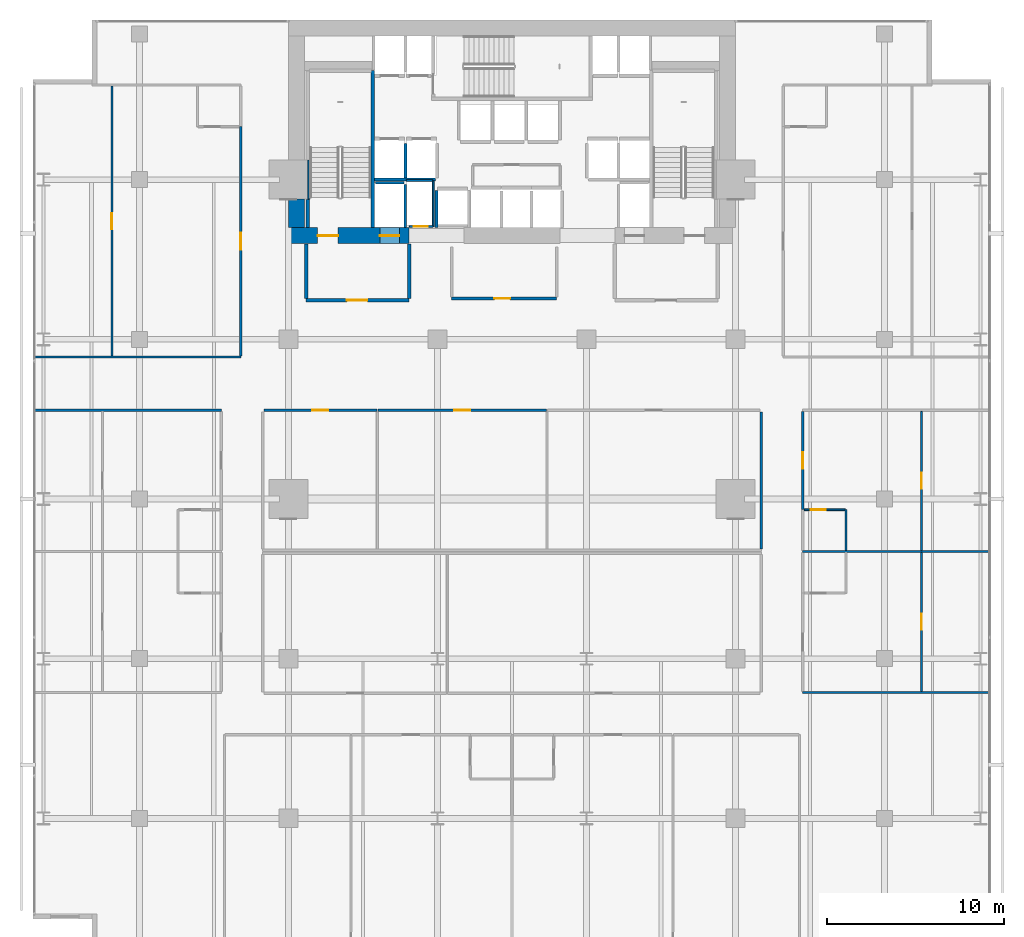
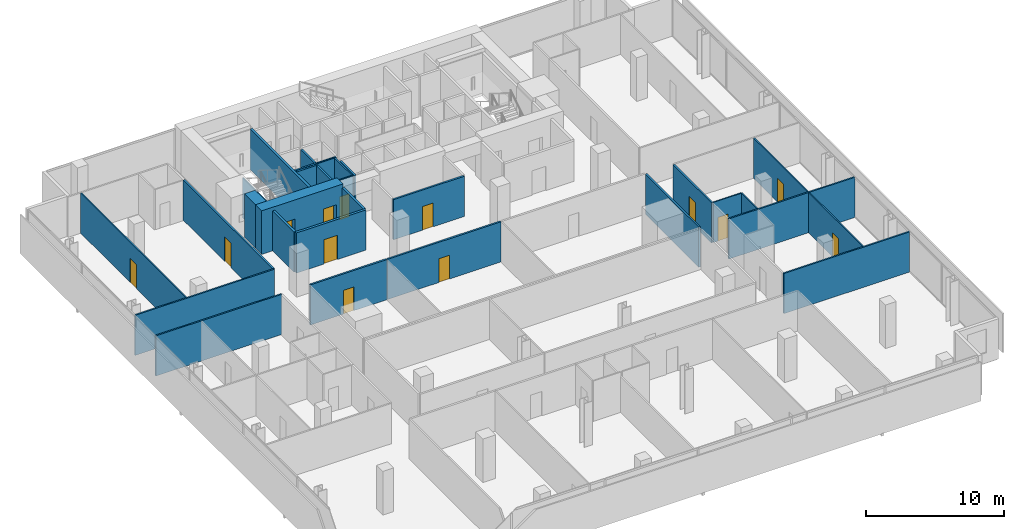
# One storey, part 34 of 39: 31 walls, 13 doors, 13 openings.
"""IFC4 building model written with IfcOpenShell, lengths in metres."""

from ifc_helpers import new_model, si_unit, direction, frame, frame_2d, origin, place, context, subcontext, project, spatial, rectangle, extrude, material, layer, layer_set, type_object, element, fill, save


model = new_model("IFC4")

# Units and contexts
model_context = context("Model", 3, precision=1e-05, world=origin(), true_north=direction((0.0, 1.0)))
body_context = subcontext(model_context, "Body", "Model", "MODEL_VIEW")
ifc_project = project(units=[si_unit("LENGTHUNIT", "METRE"), si_unit("AREAUNIT", "SQUARE_METRE"), si_unit("VOLUMEUNIT", "CUBIC_METRE"), si_unit("PLANEANGLEUNIT", "RADIAN"), si_unit("MASSUNIT", "GRAM", prefix="KILO")], contexts=[model_context])

# Site, building, storey
site_placement = place(None, origin())
site = spatial("IfcSite", under=ifc_project, at=site_placement, CompositionType="ELEMENT")
building_placement = place(site_placement, origin())
building = spatial("IfcBuilding", under=site, at=building_placement, Name="Maruvema Waterfront Hotel and Observation Tower", CompositionType="ELEMENT")
storey_placement = place(building_placement, frame((0.0, 0.0, 111.64990234375)))
storey = spatial("IfcBuildingStorey", under=building, at=storey_placement, Name="L27", CompositionType="ELEMENT", Elevation=111.64990234375)

# Wall, opening, door
ifc_material_1 = material(Name="Twin-stud acoustic gypsum drywall", Category="gypsum")
ifc_layer_1 = layer(ifc_material_1, 0.14990234375, Name="Acoustic Corridor and Suite Demising Wall 150 mm")
ifc_layer_set_1 = layer_set([ifc_layer_1], Name="Twin-stud acoustic gypsum drywall")
wall_type_1 = type_object("IfcWallType", Name="Acoustic Corridor and Suite Demising Wall 150 mm", PredefinedType="PARTITIONING", material=ifc_layer_set_1)
wall_1_placement = place(storey_placement, frame((34.39990234375, 38.300048828125, 0.0), z_axis=(0.0, 0.0, 1.0), x_axis=(1.0, 0.0, 0.0)))
wall_1 = element("IfcWall", 1, at=wall_1_placement, inside=storey, type_object=wall_type_1, Name="L27 Core Apron K0 South 013", PredefinedType="PARTITIONING", context=body_context, shape_type="SweptSolid", body=[
    extrude(rectangle(XDim=5.920166015625, YDim=0.14990234375, at=frame_2d((2.9599609375, 0.0))), origin(), (0.0, 0.0, 1.0), 3.550048828125),
])
opening_1_placement = place(wall_1_placement, frame((2.39990234375, 0.0, 0.0)))
opening_1 = element("IfcOpeningElement", 2, at=opening_1_placement, cuts=wall_1, Name="Opening DR-090", PredefinedType="OPENING", context=body_context, shape_type="SweptSolid", body=[
    extrude(rectangle(XDim=0.89990234375, YDim=2.10009765625, at=frame_2d((0.449951171875, 1.050048828125))), frame((0.0, 0.0849609375, 0.0), z_axis=(0.0, -1.0, 0.0), x_axis=(1.0, 0.0, 0.0)), (0.0, 0.0, 1.0), 0.169921875),
])
ifc_material_2 = material(Name="Solid-core lacquered timber leaf", Category="wood")
door_type_1 = type_object("IfcDoorType", Name="Accessible Toilet and Room Door 900x2100 mm", OperationType="NOTDEFINED", PredefinedType="DOOR", material=ifc_material_2)
door_1_placement = place(opening_1_placement, frame((0.89990234375, 0.0, 0.0), z_axis=(0.0, 0.0, 1.0), x_axis=(-1.0, 0.0, 0.0)))
door_1 = element("IfcDoor", 3, at=door_1_placement, inside=storey, type_object=door_type_1, Name="L27 Core Valet Room Door", OperationType="SINGLE_SWING_RIGHT", OverallHeight=2.10009765625, OverallWidth=0.89990234375, PredefinedType="DOOR", context=body_context, shape_type="SweptSolid", body=[
    extrude(rectangle(XDim=0.89990234375, YDim=2.10009765625, at=frame_2d((0.449951171875, 1.050048828125))), frame((0.0, 0.02490234375, 0.0), z_axis=(0.0, -1.0, 0.0), x_axis=(1.0, 0.0, 0.0)), (0.0, 0.0, 1.0), 0.050048828125),
])
fill(opening_1, door_1)

# Wall
wall_2_placement = place(storey_placement, frame((51.85009765625, 24.18994140625, 0.0), z_axis=(0.0, 0.0, 1.0), x_axis=(0.0, 1.0, 0.0)))
element("IfcWall", 4, at=wall_2_placement, inside=storey, type_object=wall_type_1, Name="L27 L27-INTN East Wall 018", PredefinedType="PARTITIONING", context=body_context, shape_type="SweptSolid", body=[
    extrude(rectangle(XDim=7.72998046875, YDim=0.14990234375, at=frame_2d((3.864990234375, 0.0))), origin(), (0.0, 0.0, 1.0), 3.550048828125),
])

# Wall, opening, door
wall_3_placement = place(storey_placement, frame((23.81005859375, 32.0, 0.0), z_axis=(0.0, 0.0, 1.0), x_axis=(1.0, 0.0, 0.0)))
wall_3 = element("IfcWall", 5, at=wall_3_placement, inside=storey, type_object=wall_type_1, Name="L27 L27-INTN Front 1 019", PredefinedType="PARTITIONING", context=body_context, shape_type="SweptSolid", body=[
    extrude(rectangle(XDim=6.373046875, YDim=0.14990234375, at=frame_2d((3.1865234375, 0.0))), origin(), (0.0, 0.0, 1.0), 3.550048828125),
])
opening_2_placement = place(wall_3_placement, frame((2.736572265625, 0.0, 0.0)))
opening_2 = element("IfcOpeningElement", 6, at=opening_2_placement, cuts=wall_3, Name="Opening DR-090", PredefinedType="OPENING", context=body_context, shape_type="SweptSolid", body=[
    extrude(rectangle(XDim=0.89990234375, YDim=2.10009765625, at=frame_2d((0.449951171875, 1.050048828125))), frame((0.0, 0.0849609375, 0.0), z_axis=(0.0, -1.0, 0.0), x_axis=(1.0, 0.0, 0.0)), (0.0, 0.0, 1.0), 0.169921875),
])
door_2_placement = place(opening_2_placement, origin())
door_2 = element("IfcDoor", 7, at=door_2_placement, inside=storey, type_object=door_type_1, Name="L27 Presidential Dining Salon Door", OperationType="SINGLE_SWING_LEFT", OverallHeight=2.10009765625, OverallWidth=0.89990234375, PredefinedType="DOOR", context=body_context, shape_type="SweptSolid", body=[
    extrude(rectangle(XDim=0.89990234375, YDim=2.10009765625, at=frame_2d((0.449951171875, 1.050048828125))), frame((0.0, 0.02490234375, 0.0), z_axis=(0.0, -1.0, 0.0), x_axis=(1.0, 0.0, 0.0)), (0.0, 0.0, 1.0), 0.050048828125),
])
fill(opening_2, door_2)

wall_4_placement = place(storey_placement, frame((30.242919921875, 32.0, 0.0), z_axis=(0.0, 0.0, 1.0), x_axis=(1.0, 0.0, 0.0)))
wall_4 = element("IfcWall", 8, at=wall_4_placement, inside=storey, type_object=wall_type_1, Name="L27 L27-INTN Front 2 021", PredefinedType="PARTITIONING", context=body_context, shape_type="SweptSolid", body=[
    extrude(rectangle(XDim=9.494140625, YDim=0.14990234375, at=frame_2d((4.7470703125, 0.0))), origin(), (0.0, 0.0, 1.0), 3.550048828125),
])
opening_3_placement = place(wall_4_placement, frame((4.297119140625, 0.0, 0.0)))
opening_3 = element("IfcOpeningElement", 9, at=opening_3_placement, cuts=wall_4, Name="Opening DR-090", PredefinedType="OPENING", context=body_context, shape_type="SweptSolid", body=[
    extrude(rectangle(XDim=0.89990234375, YDim=2.10009765625, at=frame_2d((0.449951171875, 1.050048828125))), frame((0.0, 0.0849609375, 0.0), z_axis=(0.0, -1.0, 0.0), x_axis=(1.0, 0.0, 0.0)), (0.0, 0.0, 1.0), 0.169921875),
])
door_3_placement = place(opening_3_placement, origin())
door_3 = element("IfcDoor", 10, at=door_3_placement, inside=storey, type_object=door_type_1, Name="L27 Presidential Kitchen Door", OperationType="SINGLE_SWING_RIGHT", OverallHeight=2.10009765625, OverallWidth=0.89990234375, PredefinedType="DOOR", context=body_context, shape_type="SweptSolid", body=[
    extrude(rectangle(XDim=0.89990234375, YDim=2.10009765625, at=frame_2d((0.449951171875, 1.050048828125))), frame((0.0, 0.02490234375, 0.0), z_axis=(0.0, -1.0, 0.0), x_axis=(1.0, 0.0, 0.0)), (0.0, 0.0, 1.0), 0.050048828125),
])
fill(opening_3, door_3)

wall_5_placement = place(storey_placement, frame((54.179931640625, 26.39990234375, 0.0), z_axis=(0.0, 0.0, 1.0), x_axis=(0.0, 1.0, 0.0)))
wall_5 = element("IfcWall", 11, at=wall_5_placement, inside=storey, type_object=wall_type_1, Name="L27 Room L27-E2 Corridor Wall 067", PredefinedType="PARTITIONING", context=body_context, shape_type="SweptSolid", body=[
    extrude(rectangle(XDim=5.5400390625, YDim=0.14990234375, at=frame_2d((2.77001953125, 0.0))), origin(), (0.0, 0.0, 1.0), 3.550048828125),
])
opening_4_placement = place(wall_5_placement, frame((2.294921875, 0.0, 0.0)))
opening_4 = element("IfcOpeningElement", 12, at=opening_4_placement, cuts=wall_5, Name="Opening DR-095", PredefinedType="OPENING", context=body_context, shape_type="SweptSolid", body=[
    extrude(rectangle(XDim=0.949951171875, YDim=2.14990234375, at=frame_2d((0.47509765625, 1.074951171875))), frame((0.0, 0.0849609375, 0.0), z_axis=(0.0, -1.0, 0.0), x_axis=(1.0, 0.0, 0.0)), (0.0, 0.0, 1.0), 0.169921875),
])
ifc_material_3 = material(Name="Acoustic solid-core hardwood timber leaf", Category="wood")
door_type_2 = type_object("IfcDoorType", Name="Guestroom Entrance Fire Door 950x2150 mm", OperationType="NOTDEFINED", PredefinedType="DOOR", material=ifc_material_3)
door_4_placement = place(opening_4_placement, frame((0.949951171875, 0.0, 0.0), z_axis=(0.0, 0.0, 1.0), x_axis=(-1.0, 0.0, 0.0)))
door_4 = element("IfcDoor", 13, at=door_4_placement, inside=storey, type_object=door_type_2, Name="L27 Room L27-E2 Entrance Door", OperationType="SINGLE_SWING_RIGHT", OverallHeight=2.14990234375, OverallWidth=0.949951171875, PredefinedType="DOOR", context=body_context, shape_type="SweptSolid", body=[
    extrude(rectangle(XDim=0.949951171875, YDim=2.14990234375, at=frame_2d((0.47509765625, 1.074951171875))), frame((0.0, 0.02490234375, 0.0), z_axis=(0.0, -1.0, 0.0), x_axis=(1.0, 0.0, 0.0)), (0.0, 0.0, 1.0), 0.050048828125),
])
fill(opening_4, door_4)

wall_6_placement = place(storey_placement, frame((22.52001953125, 35.06005859375, 0.0), z_axis=(0.0, 0.0, 1.0), x_axis=(0.0, 1.0, 0.0)))
wall_6 = element("IfcWall", 14, at=wall_6_placement, inside=storey, type_object=wall_type_1, Name="L27 Room L27-NW1 Corridor Wall 075", PredefinedType="PARTITIONING", context=body_context, shape_type="SweptSolid", body=[
    extrude(rectangle(XDim=12.927490234375, YDim=0.14990234375, at=frame_2d((6.4638671875, 0.0))), origin(), (0.0, 0.0, 1.0), 3.550048828125),
])
opening_5_placement = place(wall_6_placement, frame((5.98876953125, 0.0, 0.0)))
opening_5 = element("IfcOpeningElement", 15, at=opening_5_placement, cuts=wall_6, Name="Opening DR-095", PredefinedType="OPENING", context=body_context, shape_type="SweptSolid", body=[
    extrude(rectangle(XDim=0.949951171875, YDim=2.14990234375, at=frame_2d((0.47509765625, 1.074951171875))), frame((0.0, 0.0849609375, 0.0), z_axis=(0.0, -1.0, 0.0), x_axis=(1.0, 0.0, 0.0)), (0.0, 0.0, 1.0), 0.169921875),
])
door_5_placement = place(opening_5_placement, origin())
door_5 = element("IfcDoor", 16, at=door_5_placement, inside=storey, type_object=door_type_2, Name="L27 Room L27-NW1 Entrance Door", OperationType="SINGLE_SWING_LEFT", OverallHeight=2.14990234375, OverallWidth=0.949951171875, PredefinedType="DOOR", context=body_context, shape_type="SweptSolid", body=[
    extrude(rectangle(XDim=0.949951171875, YDim=2.14990234375, at=frame_2d((0.47509765625, 1.074951171875))), frame((0.0, 0.02490234375, 0.0), z_axis=(0.0, -1.0, 0.0), x_axis=(1.0, 0.0, 0.0)), (0.0, 0.0, 1.0), 0.050048828125),
])
fill(opening_5, door_5)

# Walls
ifc_material_4 = material(Name="Precast concrete C45/55", Category="concrete")
ifc_layer_2 = layer(ifc_material_4, 0.199951171875, Name="Core Shaft and Stairwell Enclosure Wall 200 mm")
ifc_layer_set_2 = layer_set([ifc_layer_2], Name="Precast concrete C45/55")
wall_type_2 = type_object("IfcWallType", Name="Core Shaft and Stairwell Enclosure Wall 200 mm", PredefinedType="SOLIDWALL", material=ifc_layer_set_2)
wall_7_placement = place(storey_placement, frame((29.949951171875, 42.300048828125, 0.0), z_axis=(0.0, 0.0, 1.0), x_axis=(0.0, 1.0, 0.0)))
element("IfcWall", 17, at=wall_7_placement, inside=storey, type_object=wall_type_2, Name="L27 Stairwell ST-01 East Shaft Wall", PredefinedType="SOLIDWALL", context=body_context, shape_type="SweptSolid", body=[
    extrude(rectangle(XDim=8.849853515625, YDim=0.199951171875, at=frame_2d((4.4248046875, 0.0))), origin(), (0.0, 0.0, 1.0), 3.550048828125),
])
wall_8_placement = place(storey_placement, frame((26.300048828125, 42.300048828125, 0.0), z_axis=(0.0, 0.0, 1.0), x_axis=(0.0, 1.0, 0.0)))
element("IfcWall", 18, at=wall_8_placement, inside=storey, type_object=wall_type_2, Name="L27 Stairwell ST-01 Shaft Lining Wall", PredefinedType="SOLIDWALL", context=body_context, shape_type="SweptSolid", body=[
    extrude(rectangle(XDim=1.579833984375, YDim=0.199951171875, at=frame_2d((0.7900390625, 0.0))), origin(), (0.0, 0.0, 1.0), 3.550048828125),
])

# Wall, openings, doors
ifc_material_5 = material(Name="Concrete C80/95", Category="concrete")
ifc_layer_3 = layer(ifc_material_5, 0.89990234375, Name="Core Shear Wall 900 mm")
ifc_layer_set_3 = layer_set([ifc_layer_3], Name="Concrete C80/95")
wall_type_3 = type_object("IfcWallType", Name="Core Shear Wall 900 mm", PredefinedType="SHEAR", material=ifc_layer_set_3)
wall_9_placement = place(storey_placement, frame((25.199951171875, 41.85009765625, 0.0), z_axis=(0.0, 0.0, 1.0), x_axis=(1.0, 0.0, 0.0)))
wall_9 = element("IfcWall", 19, at=wall_9_placement, inside=storey, type_object=wall_type_3, Name="L27 South-West Core Shear Wall", PredefinedType="SHEAR", context=body_context, shape_type="SweptSolid", body=[
    extrude(rectangle(XDim=6.800048828125, YDim=0.89990234375, at=frame_2d((3.39990234375, 0.0))), origin(), (0.0, 0.0, 1.0), 3.85009765625),
])
opening_6_placement = place(wall_9_placement, frame((1.64990234375, 0.0, 0.0)))
opening_6 = element("IfcOpeningElement", 20, at=opening_6_placement, cuts=wall_9, Name="Opening SD-01", PredefinedType="OPENING", context=body_context, shape_type="SweptSolid", body=[
    extrude(rectangle(XDim=1.14990234375, YDim=2.14990234375, at=frame_2d((0.574951171875, 1.074951171875))), frame((0.0, 0.4599609375, 0.0), z_axis=(0.0, -1.0, 0.0), x_axis=(1.0, 0.0, 0.0)), (0.0, 0.0, 1.0), 0.919921875),
])
opening_7_placement = place(wall_9_placement, frame((5.14990234375, 0.0, 0.0)))
opening_7 = element("IfcOpeningElement", 21, at=opening_7_placement, cuts=wall_9, Name="Opening LD-03", PredefinedType="OPENING", context=body_context, shape_type="SweptSolid", body=[
    extrude(rectangle(XDim=1.10009765625, YDim=2.199951171875, at=frame_2d((0.550048828125, 1.10009765625))), frame((0.0, 0.4599609375, 0.0), z_axis=(0.0, -1.0, 0.0), x_axis=(1.0, 0.0, 0.0)), (0.0, 0.0, 1.0), 0.919921875),
])
ifc_material_6 = material(Name="Fire-rated galvanised steel leaf", Category="steel")
door_type_3 = type_object("IfcDoorType", Name="Exit Stair Fire Door 1150x2150 mm", OperationType="NOTDEFINED", PredefinedType="DOOR", material=ifc_material_6)
door_6_placement = place(opening_6_placement, origin())
door_6 = element("IfcDoor", 22, at=door_6_placement, inside=storey, type_object=door_type_3, Name="L27 Exit Stair ST-01 Fire Door", OperationType="SINGLE_SWING_LEFT", OverallHeight=2.14990234375, OverallWidth=1.14990234375, PredefinedType="DOOR", context=body_context, shape_type="SweptSolid", body=[
    extrude(rectangle(XDim=1.14990234375, YDim=2.14990234375, at=frame_2d((0.574951171875, 1.074951171875))), frame((0.0, 0.02490234375, 0.0), z_axis=(0.0, -1.0, 0.0), x_axis=(1.0, 0.0, 0.0)), (0.0, 0.0, 1.0), 0.050048828125),
])
fill(opening_6, door_6)
ifc_material_7 = material(Name="Brushed stainless steel Grade 316", Category="steel")
door_type_4 = type_object("IfcDoorType", Name="Firefighting Lift Sliding Landing Door 1100x2200 mm", OperationType="SLIDING_TO_LEFT", PredefinedType="DOOR", material=ifc_material_7)
door_7_placement = place(opening_7_placement, frame((1.10009765625, 0.0, 0.0), z_axis=(0.0, 0.0, 1.0), x_axis=(-1.0, 0.0, 0.0)))
door_7 = element("IfcDoor", 23, at=door_7_placement, inside=storey, type_object=door_type_4, Name="L27 Firefighting Lift FL-01 Landing Door", OperationType="SLIDING_TO_LEFT", OverallHeight=2.199951171875, OverallWidth=1.10009765625, PredefinedType="DOOR", context=body_context, shape_type="SweptSolid", body=[
    extrude(rectangle(XDim=1.10009765625, YDim=2.199951171875, at=frame_2d((0.550048828125, 1.10009765625))), frame((0.0, 0.02490234375, 0.0), z_axis=(0.0, -1.0, 0.0), x_axis=(1.0, 0.0, 0.0)), (0.0, 0.0, 1.0), 0.050048828125),
])
fill(opening_7, door_7)

# Wall
wall_10_placement = place(storey_placement, frame((25.64990234375, 42.300048828125, 0.0), z_axis=(0.0, 0.0, 1.0), x_axis=(0.0, 1.0, 0.0)))
element("IfcWall", 24, at=wall_10_placement, inside=storey, type_object=wall_type_3, Name="L27 West-South Core Shear Wall", PredefinedType="SHEAR", context=body_context, shape_type="SweptSolid", body=[
    extrude(rectangle(XDim=1.599853515625, YDim=0.89990234375, at=frame_2d((0.7998046875, 0.0))), origin(), (0.0, 0.0, 1.0), 3.85009765625),
])

# Wall, opening, door
ifc_material_8 = material(Name="Moisture-resistant cement-board drywall", Category="gypsum")
ifc_layer_4 = layer(ifc_material_8, 0.10009765625, Name="En-Suite Moisture-Resistant Partition 100 mm")
ifc_layer_set_4 = layer_set([ifc_layer_4], Name="Moisture-resistant cement-board drywall")
wall_type_4 = type_object("IfcWallType", Name="En-Suite Moisture-Resistant Partition 100 mm", PredefinedType="PARTITIONING", material=ifc_layer_set_4)
wall_11_placement = place(storey_placement, frame((32.02001953125, 42.360107421875, 0.0), z_axis=(0.0, 0.0, 1.0), x_axis=(1.0, 0.0, 0.0)))
wall_11 = element("IfcWall", 25, at=wall_11_placement, inside=storey, type_object=wall_type_4, Name="L27 Telecom Riser South Wall 007", PredefinedType="PARTITIONING", context=body_context, shape_type="SweptSolid", body=[
    extrude(rectangle(XDim=1.320068359375, YDim=0.10009765625, at=frame_2d((0.66015625, 0.0))), origin(), (0.0, 0.0, 1.0), 3.550048828125),
])
opening_8_placement = place(wall_11_placement, frame((0.239990234375, 0.0, 0.0)))
opening_8 = element("IfcOpeningElement", 26, at=opening_8_placement, cuts=wall_11, Name="Opening DR-080", PredefinedType="OPENING", context=body_context, shape_type="SweptSolid", body=[
    extrude(rectangle(XDim=0.800048828125, YDim=2.050048828125, at=frame_2d((0.39990234375, 1.02490234375))), frame((0.0, 0.06005859375, 0.0), z_axis=(0.0, -1.0, 0.0), x_axis=(1.0, 0.0, 0.0)), (0.0, 0.0, 1.0), 0.1201171875),
])
ifc_material_9 = material(Name="Powder-coated steel access leaf", Category="steel")
door_type_5 = type_object("IfcDoorType", Name="Riser and Service Cupboard Door 800x2050 mm", OperationType="NOTDEFINED", PredefinedType="DOOR", material=ifc_material_9)
door_8_placement = place(opening_8_placement, frame((0.800048828125, 0.0, 0.0), z_axis=(0.0, 0.0, 1.0), x_axis=(-1.0, 0.0, 0.0)))
door_8 = element("IfcDoor", 27, at=door_8_placement, inside=storey, type_object=door_type_5, Name="L27 Telecom Riser Door", OperationType="SINGLE_SWING_RIGHT", OverallHeight=2.050048828125, OverallWidth=0.800048828125, PredefinedType="DOOR", context=body_context, shape_type="SweptSolid", body=[
    extrude(rectangle(XDim=0.800048828125, YDim=2.050048828125, at=frame_2d((0.39990234375, 1.02490234375))), frame((0.0, 0.02490234375, 0.0), z_axis=(0.0, -1.0, 0.0), x_axis=(1.0, 0.0, 0.0)), (0.0, 0.0, 1.0), 0.050048828125),
])
fill(opening_8, door_8)

# Walls
wall_12_placement = place(storey_placement, frame((31.840087890625, 44.9599609375, 0.0), z_axis=(0.0, 0.0, 1.0), x_axis=(1.0, 0.0, 0.0)))
element("IfcWall", 28, at=wall_12_placement, inside=storey, type_object=wall_type_4, Name="L27 Telecom Riser North Wall 008", PredefinedType="PARTITIONING", context=body_context, shape_type="SweptSolid", body=[
    extrude(rectangle(XDim=1.47998046875, YDim=0.10009765625, at=frame_2d((0.739990234375, 0.0))), origin(), (0.0, 0.0, 1.0), 3.550048828125),
])
wall_13_placement = place(storey_placement, frame((33.360107421875, 42.360107421875, 0.0), z_axis=(0.0, 0.0, 1.0), x_axis=(0.0, 1.0, 0.0)))
element("IfcWall", 29, at=wall_13_placement, inside=storey, type_object=wall_type_4, Name="L27 Telecom Riser East Wall 009", PredefinedType="PARTITIONING", context=body_context, shape_type="SweptSolid", body=[
    extrude(rectangle(XDim=2.579833984375, YDim=0.10009765625, at=frame_2d((1.2900390625, 0.0))), origin(), (0.0, 0.0, 1.0), 3.550048828125),
])

# Wall, opening, door
wall_14_placement = place(storey_placement, frame((60.87841796875, 16.159912109375, 0.0), z_axis=(0.0, 0.0, 1.0), x_axis=(0.0, 1.0, 0.0)))
wall_14 = element("IfcWall", 30, at=wall_14_placement, inside=storey, type_object=wall_type_4, Name="L27 Suite L27-E1 Split 058", PredefinedType="PARTITIONING", context=body_context, shape_type="SweptSolid", body=[
    extrude(rectangle(XDim=7.830078125, YDim=0.10009765625, at=frame_2d((3.9150390625, 0.0))), origin(), (0.0, 0.0, 1.0), 3.550048828125),
])
opening_9_placement = place(wall_14_placement, frame((3.465087890625, 0.0, 0.0)))
opening_9 = element("IfcOpeningElement", 31, at=opening_9_placement, cuts=wall_14, Name="Opening DR-090", PredefinedType="OPENING", context=body_context, shape_type="SweptSolid", body=[
    extrude(rectangle(XDim=0.89990234375, YDim=2.10009765625, at=frame_2d((0.449951171875, 1.050048828125))), frame((0.0, 0.06005859375, 0.0), z_axis=(0.0, -1.0, 0.0), x_axis=(1.0, 0.0, 0.0)), (0.0, 0.0, 1.0), 0.1201171875),
])
door_9_placement = place(opening_9_placement, frame((0.89990234375, 0.0, 0.0), z_axis=(0.0, 0.0, 1.0), x_axis=(-1.0, 0.0, 0.0)))
door_9 = element("IfcDoor", 32, at=door_9_placement, inside=storey, type_object=door_type_1, Name="L27 Suite L27-E1 Bedroom Door", OperationType="SINGLE_SWING_LEFT", OverallHeight=2.10009765625, OverallWidth=0.89990234375, PredefinedType="DOOR", context=body_context, shape_type="SweptSolid", body=[
    extrude(rectangle(XDim=0.89990234375, YDim=2.10009765625, at=frame_2d((0.449951171875, 1.050048828125))), frame((0.0, 0.02490234375, 0.0), z_axis=(0.0, -1.0, 0.0), x_axis=(1.0, 0.0, 0.0)), (0.0, 0.0, 1.0), 0.050048828125),
])
fill(opening_9, door_9)

# Wall
wall_15_placement = place(storey_placement, frame((56.6298828125, 24.110107421875, 0.0), z_axis=(0.0, 0.0, 1.0), x_axis=(0.0, 1.0, 0.0)))
element("IfcWall", 33, at=wall_15_placement, inside=storey, type_object=wall_type_4, Name="L27 En-Suite L27-E2 E 068", PredefinedType="PARTITIONING", context=body_context, shape_type="SweptSolid", body=[
    extrude(rectangle(XDim=2.289794921875, YDim=0.10009765625, at=frame_2d((1.14501953125, 0.0))), origin(), (0.0, 0.0, 1.0), 3.550048828125),
])

# Wall, opening, door
wall_16_placement = place(storey_placement, frame((54.280029296875, 26.39990234375, 0.0), z_axis=(0.0, 0.0, 1.0), x_axis=(1.0, 0.0, 0.0)))
wall_16 = element("IfcWall", 34, at=wall_16_placement, inside=storey, type_object=wall_type_4, Name="L27 En-Suite L27-E2 N 069", PredefinedType="PARTITIONING", context=body_context, shape_type="SweptSolid", body=[
    extrude(rectangle(XDim=2.300048828125, YDim=0.10009765625, at=frame_2d((1.14990234375, 0.0))), origin(), (0.0, 0.0, 1.0), 3.550048828125),
])
opening_10_placement = place(wall_16_placement, frame((0.35009765625, 0.0, 0.0)))
opening_10 = element("IfcOpeningElement", 35, at=opening_10_placement, cuts=wall_16, Name="Opening DR-085", PredefinedType="OPENING", context=body_context, shape_type="SweptSolid", body=[
    extrude(rectangle(XDim=0.85009765625, YDim=2.10009765625, at=frame_2d((0.425048828125, 1.050048828125))), frame((0.0, 0.06005859375, 0.0), z_axis=(0.0, -1.0, 0.0), x_axis=(1.0, 0.0, 0.0)), (0.0, 0.0, 1.0), 0.1201171875),
])
ifc_material_10 = material(Name="Moisture-resistant solid timber leaf", Category="wood")
door_type_6 = type_object("IfcDoorType", Name="En-Suite Bathroom Door 850x2100 mm", OperationType="NOTDEFINED", PredefinedType="DOOR", material=ifc_material_10)
door_10_placement = place(opening_10_placement, origin())
door_10 = element("IfcDoor", 36, at=door_10_placement, inside=storey, type_object=door_type_6, Name="L27 En-Suite L27-E2 Door", OperationType="SINGLE_SWING_LEFT", OverallHeight=2.10009765625, OverallWidth=0.85009765625, PredefinedType="DOOR", context=body_context, shape_type="SweptSolid", body=[
    extrude(rectangle(XDim=0.85009765625, YDim=2.10009765625, at=frame_2d((0.425048828125, 1.050048828125))), frame((0.0, 0.02490234375, 0.0), z_axis=(0.0, -1.0, 0.0), x_axis=(1.0, 0.0, 0.0)), (0.0, 0.0, 1.0), 0.050048828125),
])
fill(opening_10, door_10)

wall_17_placement = place(storey_placement, frame((60.87841796875, 24.110107421875, 0.0), z_axis=(0.0, 0.0, 1.0), x_axis=(0.0, 1.0, 0.0)))
wall_17 = element("IfcWall", 37, at=wall_17_placement, inside=storey, type_object=wall_type_4, Name="L27 Suite L27-E2 Split 070", PredefinedType="PARTITIONING", context=body_context, shape_type="SweptSolid", body=[
    extrude(rectangle(XDim=7.829833984375, YDim=0.10009765625, at=frame_2d((3.9150390625, 0.0))), origin(), (0.0, 0.0, 1.0), 3.550048828125),
])
opening_11_placement = place(wall_17_placement, frame((3.465087890625, 0.0, 0.0)))
opening_11 = element("IfcOpeningElement", 38, at=opening_11_placement, cuts=wall_17, Name="Opening DR-090", PredefinedType="OPENING", context=body_context, shape_type="SweptSolid", body=[
    extrude(rectangle(XDim=0.89990234375, YDim=2.10009765625, at=frame_2d((0.449951171875, 1.050048828125))), frame((0.0, 0.06005859375, 0.0), z_axis=(0.0, -1.0, 0.0), x_axis=(1.0, 0.0, 0.0)), (0.0, 0.0, 1.0), 0.1201171875),
])
door_11_placement = place(opening_11_placement, frame((0.89990234375, 0.0, 0.0), z_axis=(0.0, 0.0, 1.0), x_axis=(-1.0, 0.0, 0.0)))
door_11 = element("IfcDoor", 39, at=door_11_placement, inside=storey, type_object=door_type_1, Name="L27 Suite L27-E2 Bedroom Door", OperationType="SINGLE_SWING_LEFT", OverallHeight=2.10009765625, OverallWidth=0.89990234375, PredefinedType="DOOR", context=body_context, shape_type="SweptSolid", body=[
    extrude(rectangle(XDim=0.89990234375, YDim=2.10009765625, at=frame_2d((0.449951171875, 1.050048828125))), frame((0.0, 0.02490234375, 0.0), z_axis=(0.0, -1.0, 0.0), x_axis=(1.0, 0.0, 0.0)), (0.0, 0.0, 1.0), 0.050048828125),
])
fill(opening_11, door_11)

wall_18_placement = place(storey_placement, frame((15.24951171875, 35.06005859375, 0.0), z_axis=(0.0, 0.0, 1.0), x_axis=(0.0, 1.0, 0.0)))
wall_18 = element("IfcWall", 40, at=wall_18_placement, inside=storey, type_object=wall_type_4, Name="L27 Suite L27-NW1 Split 079", PredefinedType="PARTITIONING", context=body_context, shape_type="SweptSolid", body=[
    extrude(rectangle(XDim=15.217529296875, YDim=0.10009765625, at=frame_2d((7.60888671875, 0.0))), origin(), (0.0, 0.0, 1.0), 3.550048828125),
])
opening_12_placement = place(wall_18_placement, frame((7.15869140625, 0.0, 0.0)))
opening_12 = element("IfcOpeningElement", 41, at=opening_12_placement, cuts=wall_18, Name="Opening DR-090", PredefinedType="OPENING", context=body_context, shape_type="SweptSolid", body=[
    extrude(rectangle(XDim=0.89990234375, YDim=2.10009765625, at=frame_2d((0.449951171875, 1.050048828125))), frame((0.0, 0.06005859375, 0.0), z_axis=(0.0, -1.0, 0.0), x_axis=(1.0, 0.0, 0.0)), (0.0, 0.0, 1.0), 0.1201171875),
])
door_12_placement = place(opening_12_placement, origin())
door_12 = element("IfcDoor", 42, at=door_12_placement, inside=storey, type_object=door_type_1, Name="L27 Suite L27-NW1 Bedroom Door", OperationType="SINGLE_SWING_RIGHT", OverallHeight=2.10009765625, OverallWidth=0.89990234375, PredefinedType="DOOR", context=body_context, shape_type="SweptSolid", body=[
    extrude(rectangle(XDim=0.89990234375, YDim=2.10009765625, at=frame_2d((0.449951171875, 1.050048828125))), frame((0.0, 0.02490234375, 0.0), z_axis=(0.0, -1.0, 0.0), x_axis=(1.0, 0.0, 0.0)), (0.0, 0.0, 1.0), 0.050048828125),
])
fill(opening_12, door_12)

ifc_material_11 = material(Name="Autoclaved cellular concrete blockwork", Category="masonry")
ifc_layer_5 = layer(ifc_material_11, 0.199951171875, Name="Fire Compartment Masonry Wall 200 mm")
ifc_layer_set_5 = layer_set([ifc_layer_5], Name="Autoclaved cellular concrete blockwork")
wall_type_5 = type_object("IfcWallType", Name="Fire Compartment Masonry Wall 200 mm", PredefinedType="PARTITIONING", material=ifc_layer_set_5)
wall_19_placement = place(storey_placement, frame((26.199951171875, 38.199951171875, 0.0), z_axis=(0.0, 0.0, 1.0), x_axis=(1.0, 0.0, 0.0)))
wall_19 = element("IfcWall", 43, at=wall_19_placement, inside=storey, type_object=wall_type_5, Name="L27 FFL West South Wall 001", PredefinedType="PARTITIONING", context=body_context, shape_type="SweptSolid", body=[
    extrude(rectangle(XDim=5.800048828125, YDim=0.199951171875, at=frame_2d((2.89990234375, 0.0))), origin(), (0.0, 0.0, 1.0), 3.550048828125),
])
opening_13_placement = place(wall_19_placement, frame((2.300048828125, 0.0, 0.0)))
opening_13 = element("IfcOpeningElement", 44, at=opening_13_placement, cuts=wall_19, Name="Opening FD-115", PredefinedType="OPENING", context=body_context, shape_type="SweptSolid", body=[
    extrude(rectangle(XDim=1.14990234375, YDim=2.14990234375, at=frame_2d((0.574951171875, 1.074951171875))), frame((0.0, 0.10986328125, 0.0), z_axis=(0.0, -1.0, 0.0), x_axis=(1.0, 0.0, 0.0)), (0.0, 0.0, 1.0), 0.219970703125),
])
ifc_material_12 = material(Name="Fire-rated galvanised steel and vision glass", Category="steel")
door_type_7 = type_object("IfcDoorType", Name="Firefighting Lobby Fire Door 1150x2150 mm", OperationType="NOTDEFINED", PredefinedType="DOOR", material=ifc_material_12)
door_13_placement = place(opening_13_placement, frame((1.14990234375, 0.0, 0.0), z_axis=(0.0, 0.0, 1.0), x_axis=(-1.0, 0.0, 0.0)))
door_13 = element("IfcDoor", 45, at=door_13_placement, inside=storey, type_object=door_type_7, Name="L27 Firefighting Lobby West Door", OperationType="SINGLE_SWING_RIGHT", OverallHeight=2.14990234375, OverallWidth=1.14990234375, PredefinedType="DOOR", context=body_context, shape_type="SweptSolid", body=[
    extrude(rectangle(XDim=1.14990234375, YDim=2.14990234375, at=frame_2d((0.574951171875, 1.074951171875))), frame((0.0, 0.02490234375, 0.0), z_axis=(0.0, -1.0, 0.0), x_axis=(1.0, 0.0, 0.0)), (0.0, 0.0, 1.0), 0.050048828125),
])
fill(opening_13, door_13)

# Walls
for number, where, z_axis, x_axis, name in (
    (46, (26.199951171875, 38.31005859375, 0.0), (0.0, 0.0, 1.0), (0.0, 1.0, 0.0), "L27 FFL West West Wall 002"),
    (47, (32.0, 38.31005859375, 0.0), (0.0, 0.0, 1.0), (0.0, 1.0, 0.0), "L27 FFL West East Wall 003"),
):
    element("IfcWall", number, at=place(storey_placement, frame(where, z_axis=z_axis, x_axis=x_axis)), inside=storey, type_object=wall_type_5, Name=name, PredefinedType="PARTITIONING", context=body_context, shape_type="SweptSolid", body=[
        extrude(rectangle(XDim=3.06982421875, YDim=0.199951171875, at=frame_2d((1.534912109375, 0.0))), origin(), (0.0, 0.0, 1.0), 3.550048828125),
    ])
ifc_material_13 = material(Name="Acoustic gypsum plasterboard drywall", Category="gypsum")
ifc_layer_6 = layer(ifc_material_13, 0.125, Name="Guestroom Acoustic Demising Wall 125 mm")
ifc_layer_set_6 = layer_set([ifc_layer_6], Name="Acoustic gypsum plasterboard drywall")
wall_type_6 = type_object("IfcWallType", Name="Guestroom Acoustic Demising Wall 125 mm", PredefinedType="PARTITIONING", material=ifc_layer_set_6)
for number, where, z_axis, x_axis, name in (
    (48, (54.179931640625, 16.10009765625, 0.0), (0.0, 0.0, 1.0), (1.0, 0.0, 0.0), "L27 E Bot End 046"),
    (49, (10.89990234375, 32.0, 0.0), (0.0, 0.0, 1.0), (1.0, 0.0, 0.0), "L27 W Top End 047"),
    (50, (54.179931640625, 24.050048828125, 0.0), (0.0, 0.0, 1.0), (1.0, 0.0, 0.0), "L27 E Demising 2 060"),
):
    element("IfcWall", number, at=place(storey_placement, frame(where, z_axis=z_axis, x_axis=x_axis)), inside=storey, type_object=wall_type_6, Name=name, PredefinedType="PARTITIONING", context=body_context, shape_type="SweptSolid", body=[
        extrude(rectangle(XDim=10.52001953125, YDim=0.125, at=frame_2d((5.260009765625, 0.0))), origin(), (0.0, 0.0, 1.0), 3.550048828125),
    ])
wall_20_placement = place(storey_placement, frame((10.89990234375, 35.0, 0.0), z_axis=(0.0, 0.0, 1.0), x_axis=(1.0, 0.0, 0.0)))
element("IfcWall", 51, at=wall_20_placement, inside=storey, type_object=wall_type_6, Name="L27 NW Bot End 071", PredefinedType="PARTITIONING", context=body_context, shape_type="SweptSolid", body=[
    extrude(rectangle(XDim=11.6201171875, YDim=0.125, at=frame_2d((5.81005859375, 0.0))), origin(), (0.0, 0.0, 1.0), 3.550048828125),
])
ifc_material_14 = material(Name="Precast concrete C45/55", Category="concrete")
ifc_layer_7 = layer(ifc_material_14, 0.159912109375, Name="Lift Hoistway Divider Wall 160 mm")
ifc_layer_set_7 = layer_set([ifc_layer_7], Name="Precast concrete C45/55")
wall_type_7 = type_object("IfcWallType", Name="Lift Hoistway Divider Wall 160 mm", PredefinedType="SOLIDWALL", material=ifc_layer_set_7)
wall_21_placement = place(storey_placement, frame((30.10009765625, 44.830078125, 0.0), z_axis=(0.0, 0.0, 1.0), x_axis=(1.0, 0.0, 0.0)))
element("IfcWall", 52, at=wall_21_placement, inside=storey, type_object=wall_type_7, Name="L27 Lift FL-01 Rear Hoistway Wall", PredefinedType="SOLIDWALL", context=body_context, shape_type="SweptSolid", body=[
    extrude(rectangle(XDim=1.599853515625, YDim=0.159912109375, at=frame_2d((0.7998046875, 0.0))), origin(), (0.0, 0.0, 1.0), 3.550048828125),
])
wall_22_placement = place(storey_placement, frame((31.780029296875, 42.300048828125, 0.0), z_axis=(0.0, 0.0, 1.0), x_axis=(0.0, 1.0, 0.0)))
element("IfcWall", 53, at=wall_22_placement, inside=storey, type_object=wall_type_7, Name="L27 Lift FL-01 Inner Hoistway Wall", PredefinedType="SOLIDWALL", context=body_context, shape_type="SweptSolid", body=[
    extrude(rectangle(XDim=2.43994140625, YDim=0.159912109375, at=frame_2d((1.219970703125, 0.0))), origin(), (0.0, 0.0, 1.0), 3.550048828125),
])
wall_23_placement = place(storey_placement, frame((31.800048828125, 45.10009765625, 0.0), z_axis=(0.0, 0.0, 1.0), x_axis=(0.0, 1.0, 0.0)))
element("IfcWall", 54, at=wall_23_placement, inside=storey, type_object=wall_type_7, Name="L27 Hoistway Divider Wall", PredefinedType="SOLIDWALL", context=body_context, shape_type="SweptSolid", body=[
    extrude(rectangle(XDim=1.949951171875, YDim=0.159912109375, at=frame_2d((0.97509765625, 0.0))), origin(), (0.0, 0.0, 1.0), 3.550048828125),
])
wall_24_placement = place(storey_placement, frame((30.050048828125, 45.010009765625, 0.0), z_axis=(0.0, 0.0, 1.0), x_axis=(1.0, 0.0, 0.0)))
element("IfcWall", 55, at=wall_24_placement, inside=storey, type_object=wall_type_7, Name="L27 Hoistway Divider Wall", PredefinedType="SOLIDWALL", context=body_context, shape_type="SweptSolid", body=[
    extrude(rectangle(XDim=3.449951171875, YDim=0.159912109375, at=frame_2d((1.72509765625, 0.0))), origin(), (0.0, 0.0, 1.0), 3.550048828125),
])
wall_25_placement = place(storey_placement, frame((33.5400390625, 42.300048828125, 0.0), z_axis=(0.0, 0.0, 1.0), x_axis=(0.0, 1.0, 0.0)))
element("IfcWall", 56, at=wall_25_placement, inside=storey, type_object=wall_type_7, Name="L27 Hoistway Divider Wall", PredefinedType="SOLIDWALL", context=body_context, shape_type="SweptSolid", body=[
    extrude(rectangle(XDim=2.099853515625, YDim=0.159912109375, at=frame_2d((1.0498046875, 0.0))), origin(), (0.0, 0.0, 1.0), 3.550048828125),
])
ifc_material_15 = material(Name="Precast concrete C45/55", Category="concrete")
ifc_layer_8 = layer(ifc_material_15, 0.10009765625, Name="Stairwell Stringer Cheek Wall 100 mm")
ifc_layer_set_8 = layer_set([ifc_layer_8], Name="Precast concrete C45/55")
wall_type_8 = type_object("IfcWallType", Name="Stairwell Stringer Cheek Wall 100 mm", PredefinedType="SOLIDWALL", material=ifc_layer_set_8)
wall_26_placement = place(storey_placement, frame((26.35205078125, 43.89990234375, 0.0), z_axis=(0.0, 0.0, 1.0), x_axis=(0.0, 1.0, 0.0)))
element("IfcWall", 57, at=wall_26_placement, inside=storey, type_object=wall_type_8, Name="L27 Stairwell ST-01 Mega-Column Cheek Wall", PredefinedType="SOLIDWALL", context=body_context, shape_type="SweptSolid", body=[
    extrude(rectangle(XDim=2.2001953125, YDim=0.10009765625, at=frame_2d((1.10009765625, 0.0))), origin(), (0.0, 0.0, 1.0), 3.550048828125),
])

save(model, "model.ifc")
